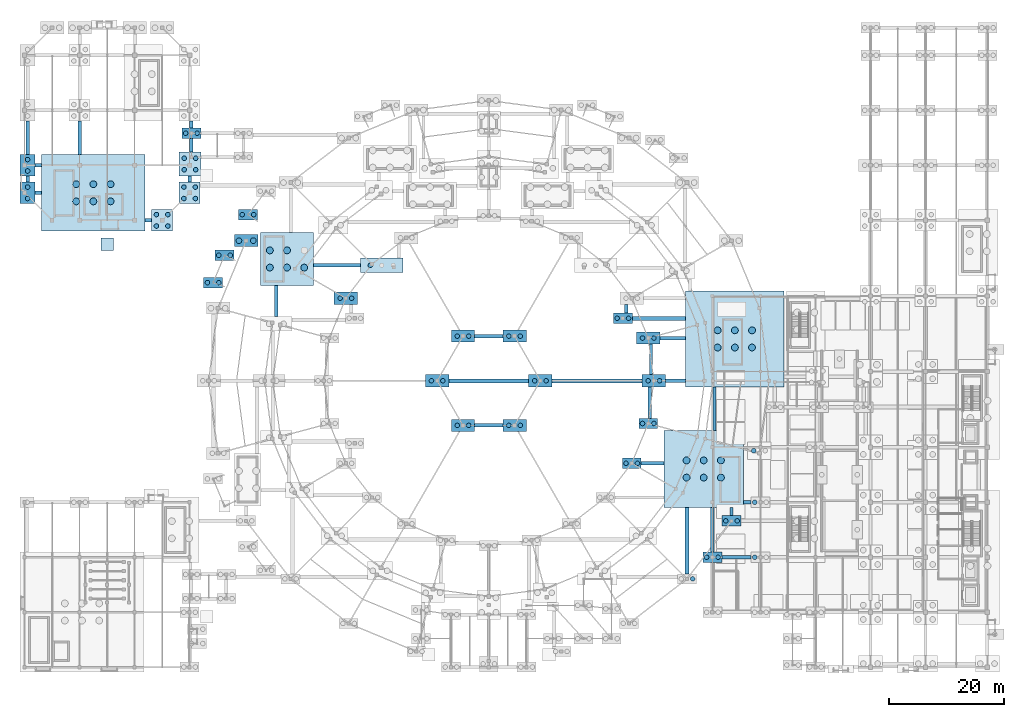
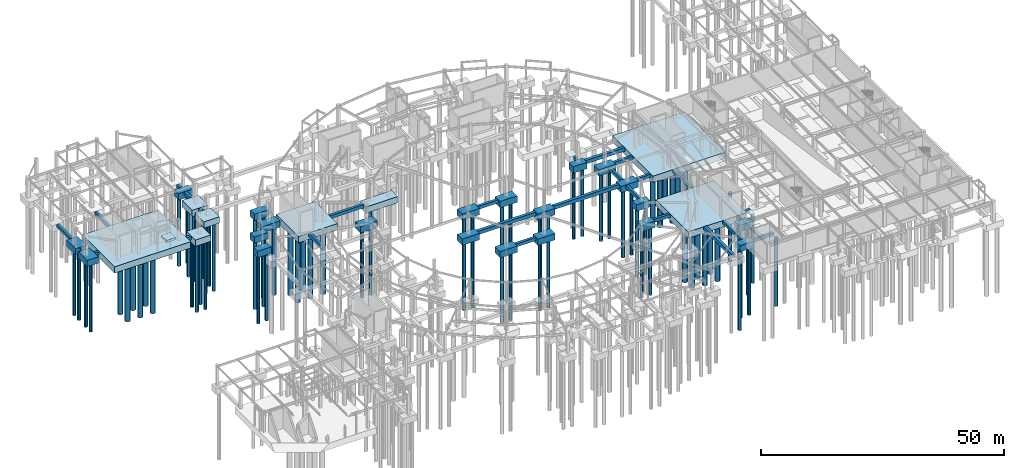
# One storey, part 3 of 55: 82 piles, 58 footings.
"""IFC4 building model written with IfcOpenShell, lengths in metres."""

from ifc_helpers import new_model, si_unit, direction, frame, origin, origin_2d, place, context, subcontext, project, spatial, rectangle, circle, extrude, material, material_profile, profile_set, type_object, element, save


model = new_model("IFC4")

# Units and contexts
model_context = context("Model", 3, precision=1e-05, world=origin(), true_north=direction((0.0, 1.0)))
body_context = subcontext(model_context, "Body", "Model", "MODEL_VIEW")
ifc_project = project(units=[si_unit("LENGTHUNIT", "METRE"), si_unit("AREAUNIT", "SQUARE_METRE"), si_unit("VOLUMEUNIT", "CUBIC_METRE"), si_unit("PLANEANGLEUNIT", "RADIAN"), si_unit("MASSUNIT", "GRAM", prefix="KILO")], contexts=[model_context])

# Site, building, storey
site_placement = place(None, origin())
site = spatial("IfcSite", under=ifc_project, at=site_placement, CompositionType="ELEMENT")
building_placement = place(site_placement, origin())
building = spatial("IfcBuilding", under=site, at=building_placement, Name="Almandine Court Research Institute", CompositionType="ELEMENT")
storey_placement = place(building_placement, frame((0.0, 0.0, -5.25)))
storey = spatial("IfcBuildingStorey", under=building, at=storey_placement, Name="B1", CompositionType="ELEMENT", Elevation=-5.25)

# Footings
ifc_material = material(Name="Concrete C35/45", Category="concrete")
footing_type_1 = type_object("IfcFootingType", Name="Cap-PC-05", PredefinedType="PILE_CAP", material=ifc_material)
for number, where, z_axis, x_axis, name in (
    (1, (126.0, 25.199951171875, -1.60009765625), (0.0, 0.0, 1.0), (1.0, 0.0, 0.0), "Reinforced Concrete Pile Cap 037"),
    (2, (129.34912109375, 31.550048828125, -1.60009765625), (0.0, 0.0, 1.0), (1.0, 0.0, 0.0), "Reinforced Concrete Pile Cap 048"),
    (3, (111.94189453125, 41.60009765625, -1.60009765625), (0.0, 0.0, 1.0), (1.0, 0.0, 0.0), "Reinforced Concrete Pile Cap 061"),
    (4, (114.819091796875, 48.5458984375, -1.60009765625), (0.0, 0.0, 1.0), (1.0, 0.0, 0.0), "Reinforced Concrete Pile Cap 073"),
    (5, (110.383056640625, 66.904052734375, -1.60009765625), (0.0, 0.0, 1.0), (1.0, 0.0, 0.0), "Reinforced Concrete Pile Cap 094"),
    (6, (35.10009765625, 99.199951171875, -1.60009765625), (0.0, 0.0, 1.0), (1.0, 0.0, 0.0), "Reinforced Concrete Pile Cap 140"),
):
    element("IfcFooting", number, at=place(storey_placement, frame(where, z_axis=z_axis, x_axis=x_axis)), inside=storey, type_object=footing_type_1, Name=name, PredefinedType="PILE_CAP", context=body_context, shape_type="SweptSolid", body=[
        extrude(rectangle(XDim=3.300048828125, YDim=1.800048828125, at=origin_2d()), origin(), (0.0, 0.0, 1.0), 1.60009765625),
    ])
footing_type_2 = type_object("IfcFootingType", Name="Cap-PC-15", PredefinedType="PILE_CAP", material=ifc_material)
footing_1_placement = place(storey_placement, frame((124.5029296875, 40.60205078125, -1.60009765625), z_axis=(0.0, 0.0, 1.0), x_axis=(1.0, 0.0, 0.0)))
element("IfcFooting", 7, at=footing_1_placement, inside=storey, type_object=footing_type_2, Name="Reinforced Concrete Pile Cap 054", PredefinedType="PILE_CAP", context=body_context, shape_type="SweptSolid", body=[
    extrude(rectangle(XDim=13.89404296875, YDim=13.405029296875, at=origin_2d()), origin(), (0.0, 0.0, 1.0), 1.60009765625),
])
footing_type_3 = type_object("IfcFootingType", Name="Cap-PC-18", PredefinedType="PILE_CAP", material=ifc_material)
for number, where, z_axis, x_axis, name in (
    (8, (82.5, 48.2060546875, -1.60009765625), (0.0, 0.0, 1.0), (1.0, 0.0, 0.0), "Reinforced Concrete Pile Cap 070"),
    (9, (91.5, 48.2060546875, -1.60009765625), (0.0, 0.0, 1.0), (1.0, 0.0, 0.0), "Reinforced Concrete Pile Cap 071"),
    (10, (78.0, 56.0, -1.60009765625), (0.0, 0.0, 1.0), (1.0, 0.0, 0.0), "Reinforced Concrete Pile Cap 082"),
    (11, (96.0, 56.0, -1.60009765625), (0.0, 0.0, 1.0), (1.0, 0.0, 0.0), "Reinforced Concrete Pile Cap 083"),
    (12, (115.800048828125, 56.0, -1.60009765625), (0.0, 0.0, 1.0), (1.0, 0.0, 0.0), "Reinforced Concrete Pile Cap 084"),
    (13, (114.819091796875, 63.4541015625, -1.60009765625), (0.0, 0.0, 1.0), (1.0, 0.0, 0.0), "Reinforced Concrete Pile Cap 088"),
    (14, (82.5, 63.7939453125, -1.60009765625), (0.0, 0.0, 1.0), (1.0, 0.0, 0.0), "Reinforced Concrete Pile Cap 090"),
    (15, (91.5, 63.7939453125, -1.60009765625), (0.0, 0.0, 1.0), (1.0, 0.0, 0.0), "Reinforced Concrete Pile Cap 091"),
    (16, (62.05810546875, 70.39990234375, -1.60009765625), (0.0, 0.0, 1.0), (1.0, 0.0, 0.0), "Reinforced Concrete Pile Cap 099"),
):
    element("IfcFooting", number, at=place(storey_placement, frame(where, z_axis=z_axis, x_axis=x_axis)), inside=storey, type_object=footing_type_3, Name=name, PredefinedType="PILE_CAP", context=body_context, shape_type="SweptSolid", body=[
        extrude(rectangle(XDim=4.10009765625, YDim=2.10009765625, at=origin_2d()), origin(), (0.0, 0.0, 1.0), 1.60009765625),
    ])
footing_type_4 = type_object("IfcFootingType", Name="Cap-PC-22", PredefinedType="PILE_CAP", material=ifc_material)
footing_2_placement = place(storey_placement, frame((129.93408203125, 63.300048828125, -1.60009765625), z_axis=(0.0, 0.0, 1.0), x_axis=(1.0, 0.0, 0.0)))
element("IfcFooting", 17, at=footing_2_placement, inside=storey, type_object=footing_type_4, Name="Reinforced Concrete Pile Cap 077", PredefinedType="PILE_CAP", context=body_context, shape_type="SweptSolid", body=[
    extrude(rectangle(XDim=17.23291015625, YDim=16.800048828125, at=origin_2d()), origin(), (0.0, 0.0, 1.0), 1.60009765625),
])
footing_type_5 = type_object("IfcFootingType", Name="Cap-PC-27", PredefinedType="PILE_CAP", material=ifc_material)
footing_3_placement = place(storey_placement, frame((44.65087890625, 80.449951171875, -1.60009765625), z_axis=(0.0, 0.0, 1.0), x_axis=(1.0, 0.0, 0.0)))
element("IfcFooting", 18, at=footing_3_placement, inside=storey, type_object=footing_type_5, Name="Reinforced Concrete Pile Cap 106", PredefinedType="PILE_CAP", context=body_context, shape_type="SweptSolid", body=[
    extrude(rectangle(XDim=4.10009765625, YDim=2.10009765625, at=origin_2d()), origin(), (0.0, 0.0, 1.0), 1.60009765625),
])
footing_type_6 = type_object("IfcFootingType", Name="Cap-PC-28", PredefinedType="PILE_CAP", material=ifc_material)
for number, where, z_axis, x_axis, name in (
    (19, (30.0, 84.0, -1.60009765625), (0.0, 0.0, 1.0), (1.0, 0.0, 0.0), "Reinforced Concrete Pile Cap 113"),
    (20, (34.800048828125, 88.800048828125, -1.60009765625), (0.0, 0.0, 1.0), (1.0, 0.0, 0.0), "Reinforced Concrete Pile Cap 122"),
):
    element("IfcFooting", number, at=place(storey_placement, frame(where, z_axis=z_axis, x_axis=x_axis)), inside=storey, type_object=footing_type_6, Name=name, PredefinedType="PILE_CAP", context=body_context, shape_type="SweptSolid", body=[
        extrude(rectangle(XDim=3.699951171875, YDim=3.699951171875, at=origin_2d()), origin(), (0.0, 0.0, 1.0), 1.60009765625),
    ])
footing_type_7 = type_object("IfcFootingType", Name="Cap-PC-29", PredefinedType="PILE_CAP", material=ifc_material)
footing_4_placement = place(storey_placement, frame((51.797119140625, 77.25, -1.60009765625), z_axis=(0.0, 0.0, 1.0), x_axis=(1.0, 0.0, 0.0)))
element("IfcFooting", 21, at=footing_4_placement, inside=storey, type_object=footing_type_7, Name="Reinforced Concrete Pile Cap 101", PredefinedType="PILE_CAP", context=body_context, shape_type="SweptSolid", body=[
    extrude(rectangle(XDim=9.2939453125, YDim=9.199951171875, at=origin_2d()), origin(), (0.0, 0.0, 1.0), 1.60009765625),
])
footing_type_8 = type_object("IfcFootingType", Name="Cap-PC-32", PredefinedType="PILE_CAP", material=ifc_material)
footing_5_placement = place(storey_placement, frame((68.325927734375, 76.138916015625, -1.60009765625), z_axis=(0.0, 0.0, 1.0), x_axis=(1.0, 0.0, 0.0)))
element("IfcFooting", 22, at=footing_5_placement, inside=storey, type_object=footing_type_8, Name="Reinforced Concrete Pile Cap 104", PredefinedType="PILE_CAP", context=body_context, shape_type="SweptSolid", body=[
    extrude(rectangle(XDim=7.48095703125, YDim=2.551025390625, at=origin_2d()), origin(), (0.0, 0.0, 1.0), 1.60009765625),
])
footing_type_9 = type_object("IfcFootingType", Name="Cap-PC-34", PredefinedType="PILE_CAP", material=ifc_material)
footing_6_placement = place(storey_placement, frame((18.0, 88.800048828125, -1.60009765625), z_axis=(0.0, 0.0, 1.0), x_axis=(1.0, 0.0, 0.0)))
element("IfcFooting", 23, at=footing_6_placement, inside=storey, type_object=footing_type_9, Name="Reinforced Concrete Pile Cap 112", PredefinedType="PILE_CAP", context=body_context, shape_type="SweptSolid", body=[
    extrude(rectangle(XDim=18.10009765625, YDim=13.300048828125, at=origin_2d()), origin(), (0.0, 0.0, 1.0), 1.60009765625),
])
footing_type_10 = type_object("IfcFootingType", Name="Cap-PC-36", PredefinedType="PILE_CAP", material=ifc_material)
for number, where, z_axis, x_axis, name in (
    (24, (6.52490234375, 88.800048828125, -1.60009765625), (0.0, 0.0, 1.0), (1.0, 0.0, 0.0), "Reinforced Concrete Pile Cap 121"),
    (25, (6.52490234375, 93.60009765625, -1.60009765625), (0.0, 0.0, 1.0), (1.0, 0.0, 0.0), "Reinforced Concrete Pile Cap 130"),
):
    element("IfcFooting", number, at=place(storey_placement, frame(where, z_axis=z_axis, x_axis=x_axis)), inside=storey, type_object=footing_type_10, Name=name, PredefinedType="PILE_CAP", context=body_context, shape_type="SweptSolid", body=[
        extrude(rectangle(XDim=2.64990234375, YDim=3.699951171875, at=origin_2d()), origin(), (0.0, 0.0, 1.0), 1.60009765625),
    ])
footing_type_11 = type_object("IfcFootingType", Name="Cap-PC-40", PredefinedType="PILE_CAP", material=ifc_material)
footing_7_placement = place(storey_placement, frame((34.85009765625, 93.824951171875, -1.60009765625), z_axis=(0.0, 0.0, 1.0), x_axis=(1.0, 0.0, 0.0)))
element("IfcFooting", 26, at=footing_7_placement, inside=storey, type_object=footing_type_11, Name="Reinforced Concrete Pile Cap 131", PredefinedType="PILE_CAP", context=body_context, shape_type="SweptSolid", body=[
    extrude(rectangle(XDim=3.800048828125, YDim=4.14990234375, at=origin_2d()), origin(), (0.0, 0.0, 1.0), 1.60009765625),
])
footing_type_12 = type_object("IfcFootingType", Name="Cap-PC-S01", PredefinedType="PILE_CAP", material=ifc_material)
for number, where, z_axis, x_axis, name in (
    (27, (44.97900390625, 84.988037109375, -1.60009765625), (0.0, 0.0, 1.0), (1.0, 0.0, 0.0), "Supplemental Threshold Pile Cap 022"),
    (28, (40.885009765625, 77.89697265625, -1.60009765625), (0.0, 0.0, 1.0), (1.0, 0.0, 0.0), "Supplemental Threshold Pile Cap 023"),
    (29, (38.907958984375, 73.125, -1.60009765625), (0.0, 0.0, 1.0), (1.0, 0.0, 0.0), "Supplemental Threshold Pile Cap 024"),
):
    element("IfcFooting", number, at=place(storey_placement, frame(where, z_axis=z_axis, x_axis=x_axis)), inside=storey, type_object=footing_type_12, Name=name, PredefinedType="PILE_CAP", context=body_context, shape_type="SweptSolid", body=[
        extrude(rectangle(XDim=3.300048828125, YDim=1.800048828125, at=origin_2d()), origin(), (0.0, 0.0, 1.0), 1.60009765625),
    ])
footing_type_13 = type_object("IfcFootingType", Name="Pad-PF1", PredefinedType="PAD_FOOTING", material=ifc_material)
footing_8_placement = place(storey_placement, frame((20.39990234375, 79.800048828125, 4.5), z_axis=(0.0, 0.0, 1.0), x_axis=(1.0, 0.0, 0.0)))
element("IfcFooting", 30, at=footing_8_placement, inside=storey, type_object=footing_type_13, Name="Accessible Ramp Base Pad Footing 5", PredefinedType="PAD_FOOTING", context=body_context, shape_type="SweptSolid", body=[
    extrude(rectangle(XDim=2.199951171875, YDim=2.199951171875, at=origin_2d()), origin(), (0.0, 0.0, 1.0), 0.60009765625),
])

# Piles
ifc_material_profile_1 = material_profile(ifc_material, circle(Radius=0.5, at=origin_2d()), Name="BORED PILE D1000")
ifc_profile_set_1 = profile_set([ifc_material_profile_1], Name="Concrete C35/45")
pile_type_1 = type_object("IfcPileType", Name="Pile-BP-1000", PredefinedType="BORED", material=ifc_profile_set_1)
for number, where, z_axis, x_axis, name in (
    (31, (43.40087890625, 80.449951171875, -1.5), (0.0, 0.0, -1.0), (1.0, 0.0, 0.0), "Bored Pile 106-1"),
    (32, (45.90087890625, 80.449951171875, -1.5), (0.0, 0.0, -1.0), (1.0, 0.0, 0.0), "Bored Pile 106-2"),
):
    element("IfcPile", number, at=place(storey_placement, frame(where, z_axis=z_axis, x_axis=x_axis)), inside=storey, type_object=pile_type_1, Name=name, PredefinedType="BORED", context=body_context, shape_type="SweptSolid", body=[
        extrude(circle(Radius=0.5, at=origin_2d()), origin(), (0.0, 0.0, 1.0), 17.25),
    ])
ifc_material_profile_2 = material_profile(ifc_material, circle(Radius=0.60009765625, at=origin_2d()), Name="BORED PILE D1200")
ifc_profile_set_2 = profile_set([ifc_material_profile_2], Name="Concrete C35/45")
pile_type_2 = type_object("IfcPileType", Name="Pile-BP-1200", PredefinedType="BORED", material=ifc_profile_set_2)
for number, where, z_axis, x_axis, name in (
    (33, (121.5029296875, 39.10205078125, -1.5), (0.0, 0.0, -1.0), (1.0, 0.0, 0.0), "Bored Pile 054-1"),
    (34, (121.5029296875, 42.10205078125, -1.5), (0.0, 0.0, -1.0), (1.0, 0.0, 0.0), "Bored Pile 054-2"),
    (35, (124.5029296875, 39.10205078125, -1.5), (0.0, 0.0, -1.0), (1.0, 0.0, 0.0), "Bored Pile 054-3"),
    (36, (124.5029296875, 42.10205078125, -1.5), (0.0, 0.0, -1.0), (1.0, 0.0, 0.0), "Bored Pile 054-4"),
    (37, (127.5029296875, 39.10205078125, -1.5), (0.0, 0.0, -1.0), (1.0, 0.0, 0.0), "Bored Pile 054-5"),
    (38, (127.5029296875, 42.10205078125, -1.5), (0.0, 0.0, -1.0), (1.0, 0.0, 0.0), "Bored Pile 054-6"),
    (39, (126.93408203125, 61.800048828125, -1.5), (0.0, 0.0, -1.0), (1.0, 0.0, 0.0), "Bored Pile 077-1"),
    (40, (126.93408203125, 64.800048828125, -1.5), (0.0, 0.0, -1.0), (1.0, 0.0, 0.0), "Bored Pile 077-2"),
    (41, (129.93408203125, 61.800048828125, -1.5), (0.0, 0.0, -1.0), (1.0, 0.0, 0.0), "Bored Pile 077-3"),
    (42, (129.93408203125, 64.800048828125, -1.5), (0.0, 0.0, -1.0), (1.0, 0.0, 0.0), "Bored Pile 077-4"),
    (43, (132.93408203125, 61.800048828125, -1.5), (0.0, 0.0, -1.0), (1.0, 0.0, 0.0), "Bored Pile 077-5"),
    (44, (132.93408203125, 64.800048828125, -1.5), (0.0, 0.0, -1.0), (1.0, 0.0, 0.0), "Bored Pile 077-6"),
    (45, (48.797119140625, 75.75, -1.5), (0.0, 0.0, -1.0), (1.0, 0.0, 0.0), "Bored Pile 101-1"),
    (46, (48.797119140625, 78.75, -1.5), (0.0, 0.0, -1.0), (1.0, 0.0, 0.0), "Bored Pile 101-2"),
    (47, (51.797119140625, 75.75, -1.5), (0.0, 0.0, -1.0), (1.0, 0.0, 0.0), "Bored Pile 101-3"),
    (48, (51.797119140625, 78.75, -1.5), (0.0, 0.0, -1.0), (1.0, 0.0, 0.0), "Bored Pile 101-4"),
    (49, (54.797119140625, 75.75, -1.5), (0.0, 0.0, -1.0), (1.0, 0.0, 0.0), "Bored Pile 101-5"),
    (50, (15.0, 87.300048828125, -1.5), (0.0, 0.0, -1.0), (1.0, 0.0, 0.0), "Bored Pile 112-1"),
    (51, (15.0, 90.300048828125, -1.5), (0.0, 0.0, -1.0), (1.0, 0.0, 0.0), "Bored Pile 112-2"),
    (52, (18.0, 87.300048828125, -1.5), (0.0, 0.0, -1.0), (1.0, 0.0, 0.0), "Bored Pile 112-3"),
    (53, (18.0, 90.300048828125, -1.5), (0.0, 0.0, -1.0), (1.0, 0.0, 0.0), "Bored Pile 112-4"),
    (54, (21.0, 87.300048828125, -1.5), (0.0, 0.0, -1.0), (1.0, 0.0, 0.0), "Bored Pile 112-5"),
    (55, (21.0, 90.300048828125, -1.5), (0.0, 0.0, -1.0), (1.0, 0.0, 0.0), "Bored Pile 112-6"),
):
    element("IfcPile", number, at=place(storey_placement, frame(where, z_axis=z_axis, x_axis=x_axis)), inside=storey, type_object=pile_type_2, Name=name, PredefinedType="BORED", context=body_context, shape_type="SweptSolid", body=[
        extrude(circle(Radius=0.60009765625, at=origin_2d()), origin(), (0.0, 0.0, 1.0), 17.25),
    ])
ifc_material_profile_3 = material_profile(ifc_material, circle(Radius=0.39990234375, at=origin_2d()), Name="BORED PILE D800")
ifc_profile_set_3 = profile_set([ifc_material_profile_3], Name="Concrete C35/45")
pile_type_3 = type_object("IfcPileType", Name="Pile-BP-800", PredefinedType="BORED", material=ifc_profile_set_3)
for number, where, z_axis, x_axis, name in (
    (56, (122.577880859375, 21.422119140625, -1.5), (0.0, 0.0, -1.0), (1.0, 0.0, 0.0), "Bored Pile 029-2"),
    (57, (125.0, 25.199951171875, -1.5), (0.0, 0.0, -1.0), (1.0, 0.0, 0.0), "Bored Pile 037-1"),
    (58, (127.0, 25.199951171875, -1.5), (0.0, 0.0, -1.0), (1.0, 0.0, 0.0), "Bored Pile 037-2"),
    (59, (133.39990234375, 25.199951171875, -1.5), (0.0, 0.0, -1.0), (1.0, 0.0, 0.0), "Bored Pile 038-1"),
    (60, (128.34912109375, 31.550048828125, -1.5), (0.0, 0.0, -1.0), (1.0, 0.0, 0.0), "Bored Pile 048-1"),
    (61, (130.34912109375, 31.550048828125, -1.5), (0.0, 0.0, -1.0), (1.0, 0.0, 0.0), "Bored Pile 048-2"),
    (62, (133.39990234375, 34.800048828125, -1.5), (0.0, 0.0, -1.0), (1.0, 0.0, 0.0), "Bored Pile 055-1"),
    (63, (110.94189453125, 41.60009765625, -1.5), (0.0, 0.0, -1.0), (1.0, 0.0, 0.0), "Bored Pile 061-1"),
    (64, (112.94189453125, 41.60009765625, -1.5), (0.0, 0.0, -1.0), (1.0, 0.0, 0.0), "Bored Pile 061-2"),
    (65, (133.23388671875, 43.797119140625, -1.5), (0.0, 0.0, -1.0), (1.0, 0.0, 0.0), "Bored Pile 063-1"),
    (66, (81.5, 48.2060546875, -1.5), (0.0, 0.0, -1.0), (1.0, 0.0, 0.0), "Bored Pile 070-1"),
    (67, (83.5, 48.2060546875, -1.5), (0.0, 0.0, -1.0), (1.0, 0.0, 0.0), "Bored Pile 070-2"),
    (68, (90.5, 48.2060546875, -1.5), (0.0, 0.0, -1.0), (1.0, 0.0, 0.0), "Bored Pile 071-1"),
    (69, (92.5, 48.2060546875, -1.5), (0.0, 0.0, -1.0), (1.0, 0.0, 0.0), "Bored Pile 071-2"),
    (70, (113.819091796875, 48.5458984375, -1.5), (0.0, 0.0, -1.0), (1.0, 0.0, 0.0), "Bored Pile 073-1"),
    (71, (115.819091796875, 48.5458984375, -1.5), (0.0, 0.0, -1.0), (1.0, 0.0, 0.0), "Bored Pile 073-2"),
    (72, (77.0, 56.0, -1.5), (0.0, 0.0, -1.0), (1.0, 0.0, 0.0), "Bored Pile 082-1"),
    (73, (79.0, 56.0, -1.5), (0.0, 0.0, -1.0), (1.0, 0.0, 0.0), "Bored Pile 082-2"),
    (74, (95.0, 56.0, -1.5), (0.0, 0.0, -1.0), (1.0, 0.0, 0.0), "Bored Pile 083-1"),
    (75, (97.0, 56.0, -1.5), (0.0, 0.0, -1.0), (1.0, 0.0, 0.0), "Bored Pile 083-2"),
    (76, (114.800048828125, 56.0, -1.5), (0.0, 0.0, -1.0), (1.0, 0.0, 0.0), "Bored Pile 084-1"),
    (77, (116.800048828125, 56.0, -1.5), (0.0, 0.0, -1.0), (1.0, 0.0, 0.0), "Bored Pile 084-2"),
    (78, (113.819091796875, 63.4541015625, -1.5), (0.0, 0.0, -1.0), (1.0, 0.0, 0.0), "Bored Pile 088-1"),
    (79, (115.819091796875, 63.4541015625, -1.5), (0.0, 0.0, -1.0), (1.0, 0.0, 0.0), "Bored Pile 088-2"),
    (80, (81.5, 63.7939453125, -1.5), (0.0, 0.0, -1.0), (1.0, 0.0, 0.0), "Bored Pile 090-1"),
    (81, (83.5, 63.7939453125, -1.5), (0.0, 0.0, -1.0), (1.0, 0.0, 0.0), "Bored Pile 090-2"),
    (82, (90.5, 63.7939453125, -1.5), (0.0, 0.0, -1.0), (1.0, 0.0, 0.0), "Bored Pile 091-1"),
    (83, (92.5, 63.7939453125, -1.5), (0.0, 0.0, -1.0), (1.0, 0.0, 0.0), "Bored Pile 091-2"),
    (84, (109.383056640625, 66.904052734375, -1.5), (0.0, 0.0, -1.0), (1.0, 0.0, 0.0), "Bored Pile 094-1"),
    (85, (111.383056640625, 66.904052734375, -1.5), (0.0, 0.0, -1.0), (1.0, 0.0, 0.0), "Bored Pile 094-2"),
    (86, (61.05810546875, 70.39990234375, -1.5), (0.0, 0.0, -1.0), (1.0, 0.0, 0.0), "Bored Pile 099-1"),
    (87, (63.05810546875, 70.39990234375, -1.5), (0.0, 0.0, -1.0), (1.0, 0.0, 0.0), "Bored Pile 099-2"),
    (88, (66.325927734375, 76.138916015625, -1.5), (0.0, 0.0, -1.0), (1.0, 0.0, 0.0), "Bored Pile 104-1"),
    (89, (29.0, 83.0, -1.5), (0.0, 0.0, -1.0), (1.0, 0.0, 0.0), "Bored Pile 113-1"),
    (90, (29.0, 85.0, -1.5), (0.0, 0.0, -1.0), (1.0, 0.0, 0.0), "Bored Pile 113-2"),
    (91, (31.0, 83.0, -1.5), (0.0, 0.0, -1.0), (1.0, 0.0, 0.0), "Bored Pile 113-3"),
    (92, (31.0, 85.0, -1.5), (0.0, 0.0, -1.0), (1.0, 0.0, 0.0), "Bored Pile 113-4"),
    (93, (6.52490234375, 87.800048828125, -1.5), (0.0, 0.0, -1.0), (1.0, 0.0, 0.0), "Bored Pile 121-1"),
    (94, (6.52490234375, 89.800048828125, -1.5), (0.0, 0.0, -1.0), (1.0, 0.0, 0.0), "Bored Pile 121-2"),
    (95, (33.800048828125, 87.800048828125, -1.5), (0.0, 0.0, -1.0), (1.0, 0.0, 0.0), "Bored Pile 122-1"),
    (96, (33.800048828125, 89.800048828125, -1.5), (0.0, 0.0, -1.0), (1.0, 0.0, 0.0), "Bored Pile 122-2"),
    (97, (35.800048828125, 87.800048828125, -1.5), (0.0, 0.0, -1.0), (1.0, 0.0, 0.0), "Bored Pile 122-3"),
    (98, (35.800048828125, 89.800048828125, -1.5), (0.0, 0.0, -1.0), (1.0, 0.0, 0.0), "Bored Pile 122-4"),
    (99, (6.52490234375, 92.60009765625, -1.5), (0.0, 0.0, -1.0), (1.0, 0.0, 0.0), "Bored Pile 130-1"),
    (100, (6.52490234375, 94.60009765625, -1.5), (0.0, 0.0, -1.0), (1.0, 0.0, 0.0), "Bored Pile 130-2"),
    (101, (33.85009765625, 92.824951171875, -1.5), (0.0, 0.0, -1.0), (1.0, 0.0, 0.0), "Bored Pile 131-1"),
    (102, (33.85009765625, 94.824951171875, -1.5), (0.0, 0.0, -1.0), (1.0, 0.0, 0.0), "Bored Pile 131-2"),
    (103, (35.85009765625, 92.824951171875, -1.5), (0.0, 0.0, -1.0), (1.0, 0.0, 0.0), "Bored Pile 131-3"),
    (104, (35.85009765625, 94.824951171875, -1.5), (0.0, 0.0, -1.0), (1.0, 0.0, 0.0), "Bored Pile 131-4"),
    (105, (34.10009765625, 99.199951171875, -1.5), (0.0, 0.0, -1.0), (1.0, 0.0, 0.0), "Bored Pile 140-1"),
    (106, (36.10009765625, 99.199951171875, -1.5), (0.0, 0.0, -1.0), (1.0, 0.0, 0.0), "Bored Pile 140-2"),
    (107, (43.97900390625, 84.988037109375, -1.5), (0.0, 0.0, -1.0), (1.0, 0.0, 0.0), "Supplemental Bored Pile 022-1"),
    (108, (45.97900390625, 84.988037109375, -1.5), (0.0, 0.0, -1.0), (1.0, 0.0, 0.0), "Supplemental Bored Pile 022-2"),
    (109, (39.885009765625, 77.89697265625, -1.5), (0.0, 0.0, -1.0), (1.0, 0.0, 0.0), "Supplemental Bored Pile 023-1"),
    (110, (41.885009765625, 77.89697265625, -1.5), (0.0, 0.0, -1.0), (1.0, 0.0, 0.0), "Supplemental Bored Pile 023-2"),
    (111, (37.907958984375, 73.125, -1.5), (0.0, 0.0, -1.0), (1.0, 0.0, 0.0), "Supplemental Bored Pile 024-1"),
    (112, (39.907958984375, 73.125, -1.5), (0.0, 0.0, -1.0), (1.0, 0.0, 0.0), "Supplemental Bored Pile 024-2"),
):
    element("IfcPile", number, at=place(storey_placement, frame(where, z_axis=z_axis, x_axis=x_axis)), inside=storey, type_object=pile_type_3, Name=name, PredefinedType="BORED", context=body_context, shape_type="SweptSolid", body=[
        extrude(circle(Radius=0.39990234375, at=origin_2d()), origin(), (0.0, 0.0, 1.0), 17.25),
    ])

# Footings
ifc_material_profile_4 = material_profile(ifc_material, rectangle(XDim=0.60009765625, YDim=0.800048828125, at=origin_2d()), Name="RC TIE 600x800")
ifc_profile_set_4 = profile_set([ifc_material_profile_4], Name="Concrete C35/45")
footing_type_14 = type_object("IfcFootingType", Name="TieBeam-TB1", PredefinedType="FOOTING_BEAM", material=ifc_profile_set_4)
for number, where, z_axis, x_axis, name in (
    (113, (7.85009765625, 88.800048828125, -0.39990234375), (1.0, 0.0, 0.0), (0.0, 1.0, 0.0), "Seismic Foundation Tie Beam 002"),
    (114, (7.85009765625, 93.60009765625, -0.39990234375), (1.0, 0.0, 0.0), (0.0, 1.0, 0.0), "Seismic Foundation Tie Beam 003"),
    (115, (27.050048828125, 84.0, -0.39990234375), (1.0, 0.0, 0.0), (0.0, 1.0, 0.0), "Seismic Foundation Tie Beam 011"),
):
    element("IfcFooting", number, at=place(storey_placement, frame(where, z_axis=z_axis, x_axis=x_axis)), inside=storey, type_object=footing_type_14, Name=name, PredefinedType="FOOTING_BEAM", context=body_context, shape_type="SweptSolid", body=[
        extrude(rectangle(XDim=0.60009765625, YDim=0.800048828125, at=origin_2d()), origin(), (0.0, 0.0, 1.0), 1.099853515625),
    ])
footing_9_placement = place(storey_placement, frame((56.444091796875, 76.138916015625, -0.39990234375), z_axis=(1.0, 0.0, 0.0), x_axis=(0.0, 1.0, 0.0)))
element("IfcFooting", 116, at=footing_9_placement, inside=storey, type_object=footing_type_14, Name="Seismic Foundation Tie Beam 027", PredefinedType="FOOTING_BEAM", context=body_context, shape_type="SweptSolid", body=[
    extrude(rectangle(XDim=0.60009765625, YDim=0.800048828125, at=origin_2d()), origin(), (0.0, 0.0, 1.0), 8.140869140625),
])
for number, where, z_axis, x_axis, name in (
    (117, (84.550048828125, 48.2060546875, -0.39990234375), (1.0, 0.0, 0.0), (0.0, 1.0, 0.0), "Seismic Foundation Tie Beam 043"),
    (118, (84.550048828125, 63.7939453125, -0.39990234375), (1.0, 0.0, 0.0), (0.0, 1.0, 0.0), "Seismic Foundation Tie Beam 044"),
):
    element("IfcFooting", number, at=place(storey_placement, frame(where, z_axis=z_axis, x_axis=x_axis)), inside=storey, type_object=footing_type_14, Name=name, PredefinedType="FOOTING_BEAM", context=body_context, shape_type="SweptSolid", body=[
        extrude(rectangle(XDim=0.60009765625, YDim=0.800048828125, at=origin_2d()), origin(), (0.0, 0.0, 1.0), 4.89990234375),
    ])
footing_10_placement = place(storey_placement, frame((113.592041015625, 41.60009765625, -0.39990234375), z_axis=(1.0, 0.0, 0.0), x_axis=(0.0, 1.0, 0.0)))
element("IfcFooting", 119, at=footing_10_placement, inside=storey, type_object=footing_type_14, Name="Seismic Foundation Tie Beam 060", PredefinedType="FOOTING_BEAM", context=body_context, shape_type="SweptSolid", body=[
    extrude(rectangle(XDim=0.60009765625, YDim=0.800048828125, at=origin_2d()), origin(), (0.0, 0.0, 1.0), 3.9638671875),
])
footing_11_placement = place(storey_placement, frame((116.868896484375, 63.4541015625, -0.39990234375), z_axis=(1.0, 0.0, 0.0), x_axis=(0.0, 1.0, 0.0)))
element("IfcFooting", 120, at=footing_11_placement, inside=storey, type_object=footing_type_14, Name="Seismic Foundation Tie Beam 062", PredefinedType="FOOTING_BEAM", context=body_context, shape_type="SweptSolid", body=[
    extrude(rectangle(XDim=0.60009765625, YDim=0.800048828125, at=origin_2d()), origin(), (0.0, 0.0, 1.0), 4.447998046875),
])
footing_12_placement = place(storey_placement, frame((117.85009765625, 56.0, -0.39990234375), z_axis=(1.0, 0.0, 0.0), x_axis=(0.0, 1.0, 0.0)))
element("IfcFooting", 121, at=footing_12_placement, inside=storey, type_object=footing_type_14, Name="Seismic Foundation Tie Beam 063", PredefinedType="FOOTING_BEAM", context=body_context, shape_type="SweptSolid", body=[
    extrude(rectangle(XDim=0.60009765625, YDim=0.800048828125, at=origin_2d()), origin(), (0.0, 0.0, 1.0), 3.466796875),
])
footing_13_placement = place(storey_placement, frame((131.449951171875, 34.800048828125, -0.39990234375), z_axis=(1.0, 0.0, 0.0), x_axis=(0.0, 1.0, 0.0)))
element("IfcFooting", 122, at=footing_13_placement, inside=storey, type_object=footing_type_14, Name="Seismic Foundation Tie Beam 064", PredefinedType="FOOTING_BEAM", context=body_context, shape_type="SweptSolid", body=[
    extrude(rectangle(XDim=0.60009765625, YDim=0.800048828125, at=origin_2d()), origin(), (0.0, 0.0, 1.0), 1.300048828125),
])
footing_14_placement = place(storey_placement, frame((127.64990234375, 25.199951171875, -0.39990234375), z_axis=(1.0, 0.0, 0.0), x_axis=(0.0, 1.0, 0.0)))
element("IfcFooting", 123, at=footing_14_placement, inside=storey, type_object=footing_type_14, Name="Seismic Foundation Tie Beam 066", PredefinedType="FOOTING_BEAM", context=body_context, shape_type="SweptSolid", body=[
    extrude(rectangle(XDim=0.60009765625, YDim=0.800048828125, at=origin_2d()), origin(), (0.0, 0.0, 1.0), 5.10009765625),
])
footing_15_placement = place(storey_placement, frame((126.0, 26.10009765625, -0.39990234375), z_axis=(0.0, 1.0, 0.0), x_axis=(-1.0, 0.0, 0.0)))
element("IfcFooting", 124, at=footing_15_placement, inside=storey, type_object=footing_type_14, Name="Seismic Foundation Tie Beam 134", PredefinedType="FOOTING_BEAM", context=body_context, shape_type="SweptSolid", body=[
    extrude(rectangle(XDim=0.60009765625, YDim=0.800048828125, at=origin_2d()), origin(), (0.0, 0.0, 1.0), 7.7998046875),
])
footing_16_placement = place(storey_placement, frame((129.34912109375, 32.449951171875, -0.39990234375), z_axis=(0.0, 1.0, 0.0), x_axis=(-1.0, 0.0, 0.0)))
element("IfcFooting", 125, at=footing_16_placement, inside=storey, type_object=footing_type_14, Name="Seismic Foundation Tie Beam 137", PredefinedType="FOOTING_BEAM", context=body_context, shape_type="SweptSolid", body=[
    extrude(rectangle(XDim=0.60009765625, YDim=0.800048828125, at=origin_2d()), origin(), (0.0, 0.0, 1.0), 1.449951171875),
])
footing_17_placement = place(storey_placement, frame((126.383056640625, 47.304931640625, -0.39990234375), z_axis=(0.0, 1.0, 0.0), x_axis=(-1.0, 0.0, 0.0)))
element("IfcFooting", 126, at=footing_17_placement, inside=storey, type_object=footing_type_14, Name="Seismic Foundation Tie Beam 143", PredefinedType="FOOTING_BEAM", context=body_context, shape_type="SweptSolid", body=[
    extrude(rectangle(XDim=0.60009765625, YDim=0.800048828125, at=origin_2d()), origin(), (0.0, 0.0, 1.0), 7.594970703125),
])
footing_18_placement = place(storey_placement, frame((115.10888671875, 49.446044921875, -0.39990234375), z_axis=(0.0, 1.0, 0.0), x_axis=(-1.0, 0.0, 0.0)))
element("IfcFooting", 127, at=footing_18_placement, inside=storey, type_object=footing_type_14, Name="Seismic Foundation Tie Beam 151", PredefinedType="FOOTING_BEAM", context=body_context, shape_type="SweptSolid", body=[
    extrude(rectangle(XDim=0.60009765625, YDim=0.800048828125, at=origin_2d()), origin(), (0.0, 0.0, 1.0), 5.50390625),
])
footing_19_placement = place(storey_placement, frame((115.30908203125, 57.050048828125, -0.39990234375), z_axis=(0.0, 1.0, 0.0), x_axis=(-1.0, 0.0, 0.0)))
element("IfcFooting", 128, at=footing_19_placement, inside=storey, type_object=footing_type_14, Name="Seismic Foundation Tie Beam 158", PredefinedType="FOOTING_BEAM", context=body_context, shape_type="SweptSolid", body=[
    extrude(rectangle(XDim=0.60009765625, YDim=0.800048828125, at=origin_2d()), origin(), (0.0, 0.0, 1.0), 5.35400390625),
])
footing_20_placement = place(storey_placement, frame((49.93310546875, 67.169921875, -0.39990234375), z_axis=(0.0, 1.0, 0.0), x_axis=(-1.0, 0.0, 0.0)))
element("IfcFooting", 129, at=footing_20_placement, inside=storey, type_object=footing_type_14, Name="Seismic Foundation Tie Beam 164", PredefinedType="FOOTING_BEAM", context=body_context, shape_type="SweptSolid", body=[
    extrude(rectangle(XDim=0.60009765625, YDim=0.800048828125, at=origin_2d()), origin(), (0.0, 0.0, 1.0), 5.47998046875),
])
footing_21_placement = place(storey_placement, frame((110.962890625, 67.803955078125, -0.39990234375), z_axis=(0.0, 1.0, 0.0), x_axis=(-1.0, 0.0, 0.0)))
element("IfcFooting", 130, at=footing_21_placement, inside=storey, type_object=footing_type_14, Name="Seismic Foundation Tie Beam 166", PredefinedType="FOOTING_BEAM", context=body_context, shape_type="SweptSolid", body=[
    extrude(rectangle(XDim=0.60009765625, YDim=0.800048828125, at=origin_2d()), origin(), (0.0, 0.0, 1.0), 1.546142578125),
])
footing_22_placement = place(storey_placement, frame((15.60009765625, 95.449951171875, -0.39990234375), z_axis=(0.0, 1.0, 0.0), x_axis=(-1.0, 0.0, 0.0)))
element("IfcFooting", 131, at=footing_22_placement, inside=storey, type_object=footing_type_14, Name="Seismic Foundation Tie Beam 182", PredefinedType="FOOTING_BEAM", context=body_context, shape_type="SweptSolid", body=[
    extrude(rectangle(XDim=0.60009765625, YDim=0.800048828125, at=origin_2d()), origin(), (0.0, 0.0, 1.0), 5.900146484375),
])
for number, where, z_axis, x_axis, name in (
    (132, (6.52490234375, 90.64990234375, -0.39990234375), (0.0, 1.0, 0.0), (-1.0, 0.0, 0.0), "Seismic Foundation Tie Beam 183"),
    (133, (34.800048828125, 90.64990234375, -0.39990234375), (0.0, 1.0, 0.0), (-1.0, 0.0, 0.0), "Seismic Foundation Tie Beam 184"),
):
    element("IfcFooting", number, at=place(storey_placement, frame(where, z_axis=z_axis, x_axis=x_axis)), inside=storey, type_object=footing_type_14, Name=name, PredefinedType="FOOTING_BEAM", context=body_context, shape_type="SweptSolid", body=[
        extrude(rectangle(XDim=0.60009765625, YDim=0.800048828125, at=origin_2d()), origin(), (0.0, 0.0, 1.0), 1.10009765625),
    ])
footing_23_placement = place(storey_placement, frame((6.52490234375, 95.449951171875, -0.39990234375), z_axis=(0.0, 1.0, 0.0), x_axis=(-1.0, 0.0, 0.0)))
element("IfcFooting", 134, at=footing_23_placement, inside=storey, type_object=footing_type_14, Name="Seismic Foundation Tie Beam 190", PredefinedType="FOOTING_BEAM", context=body_context, shape_type="SweptSolid", body=[
    extrude(rectangle(XDim=0.60009765625, YDim=0.800048828125, at=origin_2d()), origin(), (0.0, 0.0, 1.0), 5.900146484375),
])
footing_24_placement = place(storey_placement, frame((35.10009765625, 95.89990234375, -0.39990234375), z_axis=(0.0, 1.0, 0.0), x_axis=(-1.0, 0.0, 0.0)))
element("IfcFooting", 135, at=footing_24_placement, inside=storey, type_object=footing_type_14, Name="Seismic Foundation Tie Beam 194", PredefinedType="FOOTING_BEAM", context=body_context, shape_type="SweptSolid", body=[
    extrude(rectangle(XDim=0.60009765625, YDim=0.800048828125, at=origin_2d()), origin(), (0.0, 0.0, 1.0), 2.400146484375),
])
footing_25_placement = place(storey_placement, frame((35.050048828125, 100.10009765625, -0.39990234375), z_axis=(0.0, 1.0, 0.0), x_axis=(-1.0, 0.0, 0.0)))
element("IfcFooting", 136, at=footing_25_placement, inside=storey, type_object=footing_type_14, Name="Seismic Foundation Tie Beam 198", PredefinedType="FOOTING_BEAM", context=body_context, shape_type="SweptSolid", body=[
    extrude(rectangle(XDim=0.60009765625, YDim=0.800048828125, at=origin_2d()), origin(), (0.0, 0.0, 1.0), 1.25),
])
ifc_material_profile_5 = material_profile(ifc_material, rectangle(XDim=0.699951171875, YDim=0.89990234375, at=origin_2d()), Name="RC TIE 700x900")
ifc_profile_set_5 = profile_set([ifc_material_profile_5], Name="Concrete C35/45")
footing_type_15 = type_object("IfcFootingType", Name="TieBeam-TB2", PredefinedType="FOOTING_BEAM", material=ifc_profile_set_5)
footing_26_placement = place(storey_placement, frame((80.050048828125, 56.0, -0.35009765625), z_axis=(1.0, 0.0, 0.0), x_axis=(0.0, 1.0, 0.0)))
element("IfcFooting", 137, at=footing_26_placement, inside=storey, type_object=footing_type_15, Name="Seismic Foundation Tie Beam 038", PredefinedType="FOOTING_BEAM", context=body_context, shape_type="SweptSolid", body=[
    extrude(rectangle(XDim=0.699951171875, YDim=0.89990234375, at=origin_2d()), origin(), (0.0, 0.0, 1.0), 13.89990234375),
])
footing_27_placement = place(storey_placement, frame((98.050048828125, 56.0, -0.35009765625), z_axis=(1.0, 0.0, 0.0), x_axis=(0.0, 1.0, 0.0)))
element("IfcFooting", 138, at=footing_27_placement, inside=storey, type_object=footing_type_15, Name="Seismic Foundation Tie Beam 053", PredefinedType="FOOTING_BEAM", context=body_context, shape_type="SweptSolid", body=[
    extrude(rectangle(XDim=0.699951171875, YDim=0.89990234375, at=origin_2d()), origin(), (0.0, 0.0, 1.0), 15.699951171875),
])
footing_28_placement = place(storey_placement, frame((112.032958984375, 66.904052734375, -0.35009765625), z_axis=(1.0, 0.0, 0.0), x_axis=(0.0, 1.0, 0.0)))
element("IfcFooting", 139, at=footing_28_placement, inside=storey, type_object=footing_type_15, Name="Seismic Foundation Tie Beam 059", PredefinedType="FOOTING_BEAM", context=body_context, shape_type="SweptSolid", body=[
    extrude(rectangle(XDim=0.699951171875, YDim=0.89990234375, at=origin_2d()), origin(), (0.0, 0.0, 1.0), 9.283935546875),
])
footing_29_placement = place(storey_placement, frame((121.577880859375, 22.322021484375, -0.35009765625), z_axis=(0.0, 1.0, 0.0), x_axis=(-1.0, 0.0, 0.0)))
element("IfcFooting", 140, at=footing_29_placement, inside=storey, type_object=footing_type_15, Name="Seismic Foundation Tie Beam 129", PredefinedType="FOOTING_BEAM", context=body_context, shape_type="SweptSolid", body=[
    extrude(rectangle(XDim=0.699951171875, YDim=0.89990234375, at=origin_2d()), origin(), (0.0, 0.0, 1.0), 11.577880859375),
])

save(model, "model.ifc")
